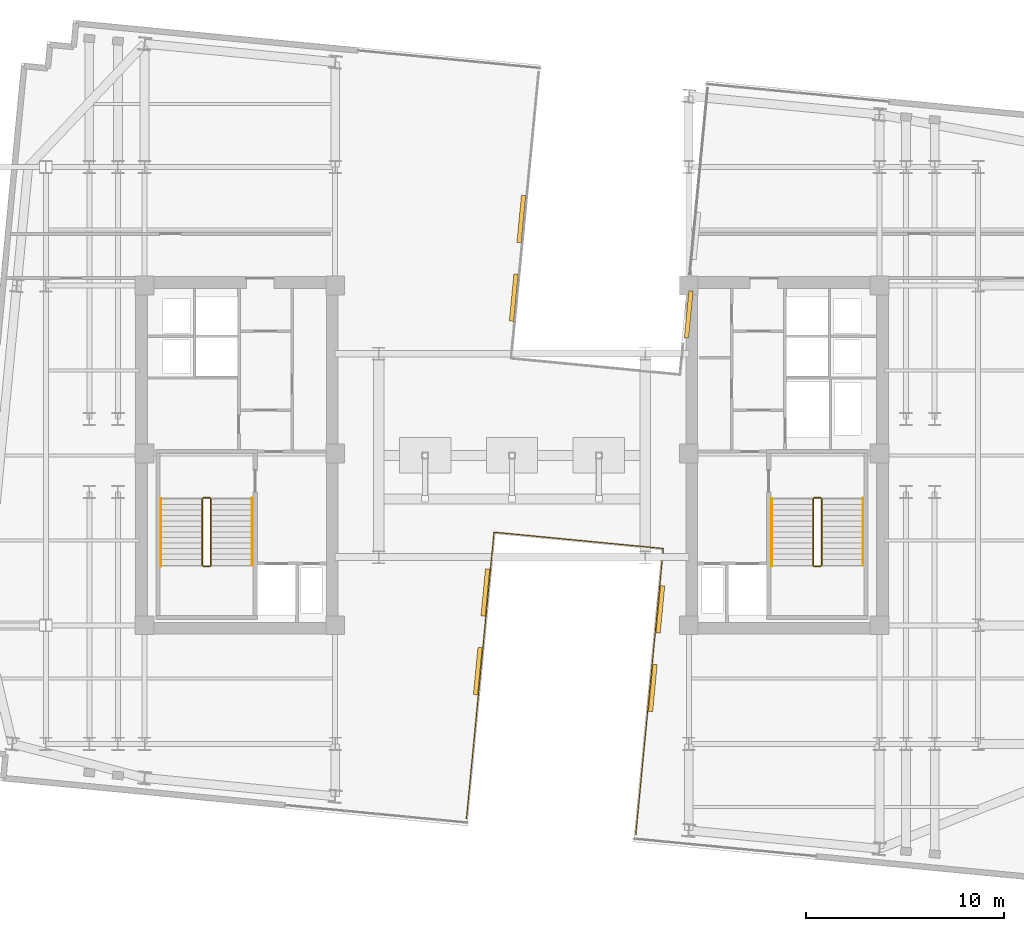
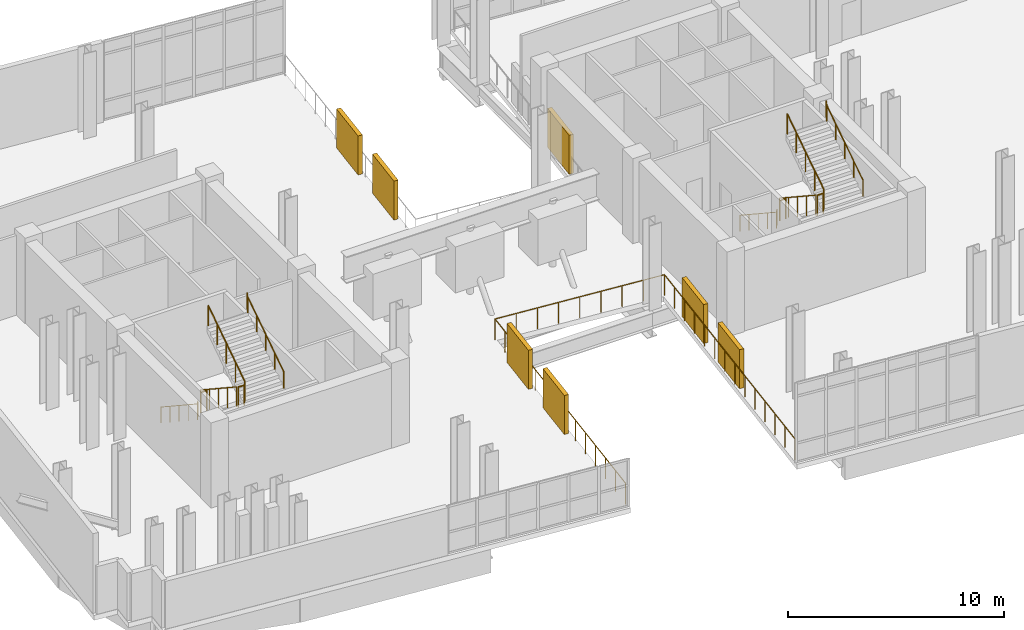
# One storey, part 15 of 16: 13 railings, 7 shading devices.
"""IFC4 building model written with IfcOpenShell, lengths in metres."""

from ifc_helpers import new_model, si_unit, direction, frame, origin, origin_2d, place, context, subcontext, project, spatial, rectangle, circle, extrude, material, type_object, element, save


model = new_model("IFC4")

# Units and contexts
model_context = context("Model", 3, precision=1e-05, world=origin(), true_north=direction((0.0, 1.0)))
body_context = subcontext(model_context, "Body", "Model", "MODEL_VIEW")
ifc_project = project(units=[si_unit("LENGTHUNIT", "METRE"), si_unit("AREAUNIT", "SQUARE_METRE"), si_unit("VOLUMEUNIT", "CUBIC_METRE"), si_unit("PLANEANGLEUNIT", "RADIAN"), si_unit("MASSUNIT", "GRAM", prefix="KILO")], contexts=[model_context])

# Site, building, storey
site_placement = place(None, origin())
site = spatial("IfcSite", under=ifc_project, at=site_placement, CompositionType="ELEMENT")
building_placement = place(site_placement, origin())
building = spatial("IfcBuilding", under=site, at=building_placement, Name="Velakula Bourse", CompositionType="ELEMENT")
storey_placement = place(building_placement, frame((0.0, 0.0, 199.5)))
storey = spatial("IfcBuildingStorey", under=building, at=storey_placement, Name="L54", CompositionType="ELEMENT", Elevation=199.5)

# Railings
ifc_material_1 = material(Name="Brushed grade 316 stainless steel", Category="steel")
railing_type_1 = type_object("IfcRailingType", Name="RLG-STAIR-GUARD-1150", PredefinedType="BALUSTRADE", material=ifc_material_1)
railing_1_placement = place(storey_placement, frame((-15.672119140625, -2.199951171875, 0.1845703125)))
element("IfcRailing", 1, at=railing_1_placement, inside=storey, type_object=railing_type_1, Name="L54 ST-W1 stair guard 1", PredefinedType="BALUSTRADE", context=body_context, shape_type="SweptSolid", body=[
    extrude(circle(Radius=0.02490234375, at=origin_2d()), frame((0.0, 0.0, 1.125), z_axis=(0.0, -0.834876476806, 0.550437342915), x_axis=(1.0, 0.0, 0.0)), (0.0, 0.0, 1.0), 4.024658203125),
    extrude(circle(Radius=0.02099609375, at=origin_2d()), origin(), (0.0, 0.0, 1.0), 1.099853515625),
    extrude(circle(Radius=0.02099609375, at=origin_2d()), frame((0.0, -0.840087890625, 0.5537109375)), (0.0, 0.0, 1.0), 1.099853515625),
    extrude(circle(Radius=0.02099609375, at=origin_2d()), frame((0.0, -1.68017578125, 1.107666015625)), (0.0, 0.0, 1.0), 1.099853515625),
    extrude(circle(Radius=0.02099609375, at=origin_2d()), frame((0.0, -2.52001953125, 1.66162109375)), (0.0, 0.0, 1.0), 1.099853515625),
    extrude(circle(Radius=0.02099609375, at=origin_2d()), frame((0.0, -3.360107421875, 2.21533203125)), (0.0, 0.0, 1.0), 1.099853515625),
])
railing_2_placement = place(storey_placement, frame((-15.6220703125, -5.610107421875, 2.39990234375)))
element("IfcRailing", 2, at=railing_2_placement, inside=storey, type_object=railing_type_1, Name="L54 ST-W1 stair guard 2", PredefinedType="BALUSTRADE", context=body_context, shape_type="SweptSolid", body=[
    extrude(circle(Radius=0.02490234375, at=origin_2d()), frame((0.0, 0.0, 1.125), z_axis=(1.0, 0.0, 0.0), x_axis=(0.0, 1.0, 0.0)), (0.0, 0.0, 1.0), 0.323974609375),
    extrude(circle(Radius=0.02099609375, at=origin_2d()), origin(), (0.0, 0.0, 1.0), 1.099853515625),
    extrude(circle(Radius=0.02099609375, at=origin_2d()), frame((0.323974609375, 0.0, 0.0)), (0.0, 0.0, 1.0), 1.099853515625),
])
railing_3_placement = place(storey_placement, frame((-15.248046875, -5.56005859375, 2.584716796875)))
element("IfcRailing", 3, at=railing_3_placement, inside=storey, type_object=railing_type_1, Name="L54 ST-W1 stair guard 3", PredefinedType="BALUSTRADE", context=body_context, shape_type="SweptSolid", body=[
    extrude(circle(Radius=0.02490234375, at=origin_2d()), frame((0.0, 0.0, 1.125), z_axis=(0.0, 0.834876476806, 0.550437342915), x_axis=(-1.0, 0.0, 0.0)), (0.0, 0.0, 1.0), 4.024658203125),
    extrude(circle(Radius=0.02099609375, at=origin_2d()), origin(), (0.0, 0.0, 1.0), 1.099853515625),
    extrude(circle(Radius=0.02099609375, at=origin_2d()), frame((0.0, 0.840087890625, 0.5537109375)), (0.0, 0.0, 1.0), 1.099853515625),
    extrude(circle(Radius=0.02099609375, at=origin_2d()), frame((0.0, 1.68017578125, 1.107666015625)), (0.0, 0.0, 1.0), 1.099853515625),
    extrude(circle(Radius=0.02099609375, at=origin_2d()), frame((0.0, 2.52001953125, 1.66162109375)), (0.0, 0.0, 1.0), 1.099853515625),
    extrude(circle(Radius=0.02099609375, at=origin_2d()), frame((0.0, 3.360107421875, 2.21533203125)), (0.0, 0.0, 1.0), 1.099853515625),
])
railing_4_placement = place(storey_placement, frame((-15.6220703125, -2.14990234375, 0.0)))
element("IfcRailing", 4, at=railing_4_placement, inside=storey, type_object=railing_type_1, Name="L54 ST-W1 stair guard 4", PredefinedType="BALUSTRADE", context=body_context, shape_type="SweptSolid", body=[
    extrude(circle(Radius=0.02490234375, at=origin_2d()), frame((0.0, 0.0, 1.125), z_axis=(1.0, 0.0, 0.0), x_axis=(0.0, 1.0, 0.0)), (0.0, 0.0, 1.0), 0.323974609375),
    extrude(circle(Radius=0.02099609375, at=origin_2d()), origin(), (0.0, 0.0, 1.0), 1.099853515625),
    extrude(circle(Radius=0.02099609375, at=origin_2d()), frame((0.323974609375, 0.0, 0.0)), (0.0, 0.0, 1.0), 1.099853515625),
])
railing_5_placement = place(storey_placement, frame((15.248046875, -2.199951171875, 0.1845703125)))
element("IfcRailing", 5, at=railing_5_placement, inside=storey, type_object=railing_type_1, Name="L54 ST-E1 stair guard 1", PredefinedType="BALUSTRADE", context=body_context, shape_type="SweptSolid", body=[
    extrude(circle(Radius=0.02490234375, at=origin_2d()), frame((0.0, 0.0, 1.125), z_axis=(0.0, -0.834876476806, 0.550437342915), x_axis=(1.0, 0.0, 0.0)), (0.0, 0.0, 1.0), 4.024658203125),
    extrude(circle(Radius=0.02099609375, at=origin_2d()), origin(), (0.0, 0.0, 1.0), 1.099853515625),
    extrude(circle(Radius=0.02099609375, at=origin_2d()), frame((0.0, -0.840087890625, 0.5537109375)), (0.0, 0.0, 1.0), 1.099853515625),
    extrude(circle(Radius=0.02099609375, at=origin_2d()), frame((0.0, -1.68017578125, 1.107666015625)), (0.0, 0.0, 1.0), 1.099853515625),
    extrude(circle(Radius=0.02099609375, at=origin_2d()), frame((0.0, -2.52001953125, 1.66162109375)), (0.0, 0.0, 1.0), 1.099853515625),
    extrude(circle(Radius=0.02099609375, at=origin_2d()), frame((0.0, -3.360107421875, 2.21533203125)), (0.0, 0.0, 1.0), 1.099853515625),
])
railing_6_placement = place(storey_placement, frame((15.298095703125, -5.610107421875, 2.39990234375)))
element("IfcRailing", 6, at=railing_6_placement, inside=storey, type_object=railing_type_1, Name="L54 ST-E1 stair guard 2", PredefinedType="BALUSTRADE", context=body_context, shape_type="SweptSolid", body=[
    extrude(circle(Radius=0.02490234375, at=origin_2d()), frame((0.0, 0.0, 1.125), z_axis=(1.0, 0.0, 0.0), x_axis=(0.0, 1.0, 0.0)), (0.0, 0.0, 1.0), 0.323974609375),
    extrude(circle(Radius=0.02099609375, at=origin_2d()), origin(), (0.0, 0.0, 1.0), 1.099853515625),
    extrude(circle(Radius=0.02099609375, at=origin_2d()), frame((0.323974609375, 0.0, 0.0)), (0.0, 0.0, 1.0), 1.099853515625),
])
railing_7_placement = place(storey_placement, frame((15.672119140625, -5.56005859375, 2.584716796875)))
element("IfcRailing", 7, at=railing_7_placement, inside=storey, type_object=railing_type_1, Name="L54 ST-E1 stair guard 3", PredefinedType="BALUSTRADE", context=body_context, shape_type="SweptSolid", body=[
    extrude(circle(Radius=0.02490234375, at=origin_2d()), frame((0.0, 0.0, 1.125), z_axis=(0.0, 0.834876476806, 0.550437342915), x_axis=(-1.0, 0.0, 0.0)), (0.0, 0.0, 1.0), 4.024658203125),
    extrude(circle(Radius=0.02099609375, at=origin_2d()), origin(), (0.0, 0.0, 1.0), 1.099853515625),
    extrude(circle(Radius=0.02099609375, at=origin_2d()), frame((0.0, 0.840087890625, 0.5537109375)), (0.0, 0.0, 1.0), 1.099853515625),
    extrude(circle(Radius=0.02099609375, at=origin_2d()), frame((0.0, 1.68017578125, 1.107666015625)), (0.0, 0.0, 1.0), 1.099853515625),
    extrude(circle(Radius=0.02099609375, at=origin_2d()), frame((0.0, 2.52001953125, 1.66162109375)), (0.0, 0.0, 1.0), 1.099853515625),
    extrude(circle(Radius=0.02099609375, at=origin_2d()), frame((0.0, 3.360107421875, 2.21533203125)), (0.0, 0.0, 1.0), 1.099853515625),
])
railing_8_placement = place(storey_placement, frame((15.298095703125, -2.14990234375, 0.0)))
element("IfcRailing", 8, at=railing_8_placement, inside=storey, type_object=railing_type_1, Name="L54 ST-E1 stair guard 4", PredefinedType="BALUSTRADE", context=body_context, shape_type="SweptSolid", body=[
    extrude(circle(Radius=0.02490234375, at=origin_2d()), frame((0.0, 0.0, 1.125), z_axis=(1.0, 0.0, 0.0), x_axis=(0.0, 1.0, 0.0)), (0.0, 0.0, 1.0), 0.323974609375),
    extrude(circle(Radius=0.02099609375, at=origin_2d()), origin(), (0.0, 0.0, 1.0), 1.099853515625),
    extrude(circle(Radius=0.02099609375, at=origin_2d()), frame((0.323974609375, 0.0, 0.0)), (0.0, 0.0, 1.0), 1.099853515625),
])
railing_type_2 = type_object("IfcRailingType", Name="RLG-STAIR-HAND-920", PredefinedType="HANDRAIL", material=ifc_material_1)
railing_9_placement = place(storey_placement, frame((-17.77001953125, -2.199951171875, 0.1845703125)))
element("IfcRailing", 9, at=railing_9_placement, inside=storey, type_object=railing_type_2, Name="L54 ST-W1 stair handrail 1", PredefinedType="HANDRAIL", context=body_context, shape_type="SweptSolid", body=[
    extrude(circle(Radius=0.02099609375, at=origin_2d()), frame((0.0, 0.0, 0.89892578125), z_axis=(0.0, -0.834876476806, 0.550437342915), x_axis=(1.0, 0.0, 0.0)), (0.0, 0.0, 1.0), 4.024658203125),
    extrude(circle(Radius=0.02099609375, at=origin_2d()), frame((0.0, -3.360107421875, 3.1142578125), z_axis=(0.0, -0.211732794235, 0.977327592901), x_axis=(1.0, 0.0, 0.0)), (0.0, 0.0, 1.0), 0.189208984375),
    extrude(circle(Radius=0.02099609375, at=origin_2d()), frame((0.0, -3.400146484375, 3.299072265625), z_axis=(0.0, -1.0, 0.0), x_axis=(1.0, 0.0, 0.0)), (0.0, 0.0, 1.0), 0.0048828125),
    extrude(circle(Radius=0.02099609375, at=origin_2d()), origin(), (0.0, 0.0, 1.0), 0.8779296875),
    extrude(circle(Radius=0.02099609375, at=origin_2d()), frame((0.0, -0.840087890625, 0.5537109375)), (0.0, 0.0, 1.0), 0.8779296875),
    extrude(circle(Radius=0.02099609375, at=origin_2d()), frame((0.0, -1.68017578125, 1.107666015625)), (0.0, 0.0, 1.0), 0.8779296875),
    extrude(circle(Radius=0.02099609375, at=origin_2d()), frame((0.0, -2.52001953125, 1.66162109375)), (0.0, 0.0, 1.0), 0.8779296875),
    extrude(circle(Radius=0.02099609375, at=origin_2d()), frame((0.0, -3.360107421875, 2.21533203125)), (0.0, 0.0, 1.0), 0.8779296875),
    extrude(circle(Radius=0.02099609375, at=origin_2d()), frame((0.0, -3.400146484375, 2.400146484375)), (0.0, 0.0, 1.0), 0.8779296875),
    extrude(circle(Radius=0.02099609375, at=origin_2d()), frame((0.0, -3.405029296875, 2.400146484375)), (0.0, 0.0, 1.0), 0.8779296875),
])
railing_10_placement = place(storey_placement, frame((-13.14990234375, -5.56005859375, 2.584716796875)))
element("IfcRailing", 10, at=railing_10_placement, inside=storey, type_object=railing_type_2, Name="L54 ST-W1 stair handrail 2", PredefinedType="HANDRAIL", context=body_context, shape_type="SweptSolid", body=[
    extrude(circle(Radius=0.02099609375, at=origin_2d()), frame((0.0, 0.0, 0.89892578125), z_axis=(0.0, 0.834876476806, 0.550437342915), x_axis=(-1.0, 0.0, 0.0)), (0.0, 0.0, 1.0), 4.024658203125),
    extrude(circle(Radius=0.02099609375, at=origin_2d()), frame((0.0, 3.360107421875, 3.1142578125), z_axis=(0.0, 0.212000284517, 0.977269604237), x_axis=(-1.0, 0.0, 0.0)), (0.0, 0.0, 1.0), 0.18896484375),
    extrude(circle(Radius=0.02099609375, at=origin_2d()), frame((0.0, 3.400146484375, 3.298828125), z_axis=(0.0, 1.0, 0.0), x_axis=(-1.0, 0.0, 0.0)), (0.0, 0.0, 1.0), 0.0048828125),
    extrude(circle(Radius=0.02099609375, at=origin_2d()), origin(), (0.0, 0.0, 1.0), 0.8779296875),
    extrude(circle(Radius=0.02099609375, at=origin_2d()), frame((0.0, 0.840087890625, 0.5537109375)), (0.0, 0.0, 1.0), 0.8779296875),
    extrude(circle(Radius=0.02099609375, at=origin_2d()), frame((0.0, 1.68017578125, 1.107666015625)), (0.0, 0.0, 1.0), 0.8779296875),
    extrude(circle(Radius=0.02099609375, at=origin_2d()), frame((0.0, 2.52001953125, 1.66162109375)), (0.0, 0.0, 1.0), 0.8779296875),
    extrude(circle(Radius=0.02099609375, at=origin_2d()), frame((0.0, 3.360107421875, 2.21533203125)), (0.0, 0.0, 1.0), 0.8779296875),
    extrude(circle(Radius=0.02099609375, at=origin_2d()), frame((0.0, 3.400146484375, 2.39990234375)), (0.0, 0.0, 1.0), 0.8779296875),
    extrude(circle(Radius=0.02099609375, at=origin_2d()), frame((0.0, 3.405029296875, 2.39990234375)), (0.0, 0.0, 1.0), 0.8779296875),
])
railing_11_placement = place(storey_placement, frame((13.14990234375, -2.199951171875, 0.1845703125)))
element("IfcRailing", 11, at=railing_11_placement, inside=storey, type_object=railing_type_2, Name="L54 ST-E1 stair handrail 1", PredefinedType="HANDRAIL", context=body_context, shape_type="SweptSolid", body=[
    extrude(circle(Radius=0.02099609375, at=origin_2d()), frame((0.0, 0.0, 0.89892578125), z_axis=(0.0, -0.834876476806, 0.550437342915), x_axis=(1.0, 0.0, 0.0)), (0.0, 0.0, 1.0), 4.024658203125),
    extrude(circle(Radius=0.02099609375, at=origin_2d()), frame((0.0, -3.360107421875, 3.1142578125), z_axis=(0.0, -0.211732794235, 0.977327592901), x_axis=(1.0, 0.0, 0.0)), (0.0, 0.0, 1.0), 0.189208984375),
    extrude(circle(Radius=0.02099609375, at=origin_2d()), frame((0.0, -3.400146484375, 3.299072265625), z_axis=(0.0, -1.0, 0.0), x_axis=(1.0, 0.0, 0.0)), (0.0, 0.0, 1.0), 0.0048828125),
    extrude(circle(Radius=0.02099609375, at=origin_2d()), origin(), (0.0, 0.0, 1.0), 0.8779296875),
    extrude(circle(Radius=0.02099609375, at=origin_2d()), frame((0.0, -0.840087890625, 0.5537109375)), (0.0, 0.0, 1.0), 0.8779296875),
    extrude(circle(Radius=0.02099609375, at=origin_2d()), frame((0.0, -1.68017578125, 1.107666015625)), (0.0, 0.0, 1.0), 0.8779296875),
    extrude(circle(Radius=0.02099609375, at=origin_2d()), frame((0.0, -2.52001953125, 1.66162109375)), (0.0, 0.0, 1.0), 0.8779296875),
    extrude(circle(Radius=0.02099609375, at=origin_2d()), frame((0.0, -3.360107421875, 2.21533203125)), (0.0, 0.0, 1.0), 0.8779296875),
    extrude(circle(Radius=0.02099609375, at=origin_2d()), frame((0.0, -3.400146484375, 2.400146484375)), (0.0, 0.0, 1.0), 0.8779296875),
    extrude(circle(Radius=0.02099609375, at=origin_2d()), frame((0.0, -3.405029296875, 2.400146484375)), (0.0, 0.0, 1.0), 0.8779296875),
])
railing_12_placement = place(storey_placement, frame((17.77001953125, -5.56005859375, 2.584716796875)))
element("IfcRailing", 12, at=railing_12_placement, inside=storey, type_object=railing_type_2, Name="L54 ST-E1 stair handrail 2", PredefinedType="HANDRAIL", context=body_context, shape_type="SweptSolid", body=[
    extrude(circle(Radius=0.02099609375, at=origin_2d()), frame((0.0, 0.0, 0.89892578125), z_axis=(0.0, 0.834876476806, 0.550437342915), x_axis=(-1.0, 0.0, 0.0)), (0.0, 0.0, 1.0), 4.024658203125),
    extrude(circle(Radius=0.02099609375, at=origin_2d()), frame((0.0, 3.360107421875, 3.1142578125), z_axis=(0.0, 0.212000284517, 0.977269604237), x_axis=(-1.0, 0.0, 0.0)), (0.0, 0.0, 1.0), 0.18896484375),
    extrude(circle(Radius=0.02099609375, at=origin_2d()), frame((0.0, 3.400146484375, 3.298828125), z_axis=(0.0, 1.0, 0.0), x_axis=(-1.0, 0.0, 0.0)), (0.0, 0.0, 1.0), 0.0048828125),
    extrude(circle(Radius=0.02099609375, at=origin_2d()), origin(), (0.0, 0.0, 1.0), 0.8779296875),
    extrude(circle(Radius=0.02099609375, at=origin_2d()), frame((0.0, 0.840087890625, 0.5537109375)), (0.0, 0.0, 1.0), 0.8779296875),
    extrude(circle(Radius=0.02099609375, at=origin_2d()), frame((0.0, 1.68017578125, 1.107666015625)), (0.0, 0.0, 1.0), 0.8779296875),
    extrude(circle(Radius=0.02099609375, at=origin_2d()), frame((0.0, 2.52001953125, 1.66162109375)), (0.0, 0.0, 1.0), 0.8779296875),
    extrude(circle(Radius=0.02099609375, at=origin_2d()), frame((0.0, 3.360107421875, 2.21533203125)), (0.0, 0.0, 1.0), 0.8779296875),
    extrude(circle(Radius=0.02099609375, at=origin_2d()), frame((0.0, 3.400146484375, 2.39990234375)), (0.0, 0.0, 1.0), 0.8779296875),
    extrude(circle(Radius=0.02099609375, at=origin_2d()), frame((0.0, 3.405029296875, 2.39990234375)), (0.0, 0.0, 1.0), 0.8779296875),
])
ifc_material_2 = material(Name="Anodised bronze architectural aluminium", Category="aluminium")
railing_type_3 = type_object("IfcRailingType", Name="RLG-VENT-1200", PredefinedType="BALUSTRADE", material=ifc_material_2)
railing_13_placement = place(storey_placement, frame((6.26611328125, -19.205078125, 0.0)))
element("IfcRailing", 13, at=railing_13_placement, inside=storey, type_object=railing_type_3, Name="L54 Venturi Wind Slot Safety Balustrade 1.3", PredefinedType="BALUSTRADE", context=body_context, shape_type="SweptSolid", body=[
    extrude(circle(Radius=0.02392578125, at=origin_2d()), frame((0.0, 0.0, 1.17578125), z_axis=(0.095845640075, 0.995396209194, 0.0), x_axis=(-0.995396209194, 0.095845640075, 0.0)), (0.0, 0.0, 1.0), 14.56005859375),
    extrude(circle(Radius=0.02392578125, at=origin_2d()), frame((1.3955078125, 14.492919921875, 1.17578125), z_axis=(-0.995396812523, 0.095839374059, 0.0), x_axis=(-0.095839374059, -0.995396812523, 0.0)), (0.0, 0.0, 1.0), 8.610107421875),
    extrude(circle(Radius=0.02392578125, at=origin_2d()), frame((-7.175048828125, 15.318115234375, 1.17578125), z_axis=(-0.095845640075, -0.995396209194, 0.0), x_axis=(0.995396209194, -0.095845640075, 0.0)), (0.0, 0.0, 1.0), 14.56005859375),
    extrude(circle(Radius=0.02099609375, at=origin_2d()), origin(), (0.0, 0.0, 1.0), 1.15185546875),
    extrude(circle(Radius=0.02099609375, at=origin_2d()), frame((0.107421875, 1.11474609375, 0.0)), (0.0, 0.0, 1.0), 1.15185546875),
    extrude(circle(Radius=0.02099609375, at=origin_2d()), frame((0.214599609375, 2.229736328125, 0.0)), (0.0, 0.0, 1.0), 1.15185546875),
    extrude(circle(Radius=0.02099609375, at=origin_2d()), frame((0.322021484375, 3.344482421875, 0.0)), (0.0, 0.0, 1.0), 1.15185546875),
    extrude(circle(Radius=0.02099609375, at=origin_2d()), frame((0.429443359375, 4.45947265625, 0.0)), (0.0, 0.0, 1.0), 1.15185546875),
    extrude(circle(Radius=0.02099609375, at=origin_2d()), frame((0.53662109375, 5.57421875, 0.0)), (0.0, 0.0, 1.0), 1.15185546875),
    extrude(circle(Radius=0.02099609375, at=origin_2d()), frame((0.64404296875, 6.68896484375, 0.0)), (0.0, 0.0, 1.0), 1.15185546875),
    extrude(circle(Radius=0.02099609375, at=origin_2d()), frame((0.75146484375, 7.803955078125, 0.0)), (0.0, 0.0, 1.0), 1.15185546875),
    extrude(circle(Radius=0.02099609375, at=origin_2d()), frame((0.85888671875, 8.918701171875, 0.0)), (0.0, 0.0, 1.0), 1.15185546875),
    extrude(circle(Radius=0.02099609375, at=origin_2d()), frame((0.966064453125, 10.033447265625, 0.0)), (0.0, 0.0, 1.0), 1.15185546875),
    extrude(circle(Radius=0.02099609375, at=origin_2d()), frame((1.073486328125, 11.1484375, 0.0)), (0.0, 0.0, 1.0), 1.15185546875),
    extrude(circle(Radius=0.02099609375, at=origin_2d()), frame((1.180908203125, 12.26318359375, 0.0)), (0.0, 0.0, 1.0), 1.15185546875),
    extrude(circle(Radius=0.02099609375, at=origin_2d()), frame((1.2880859375, 13.378173828125, 0.0)), (0.0, 0.0, 1.0), 1.15185546875),
    extrude(circle(Radius=0.02099609375, at=origin_2d()), frame((1.3955078125, 14.492919921875, 0.0)), (0.0, 0.0, 1.0), 1.15185546875),
    extrude(circle(Radius=0.02099609375, at=origin_2d()), frame((0.32421875, 14.59619140625, 0.0)), (0.0, 0.0, 1.0), 1.15185546875),
    extrude(circle(Radius=0.02099609375, at=origin_2d()), frame((-0.7470703125, 14.69921875, 0.0)), (0.0, 0.0, 1.0), 1.15185546875),
    extrude(circle(Radius=0.02099609375, at=origin_2d()), frame((-1.818359375, 14.80224609375, 0.0)), (0.0, 0.0, 1.0), 1.15185546875),
    extrude(circle(Radius=0.02099609375, at=origin_2d()), frame((-2.8896484375, 14.905517578125, 0.0)), (0.0, 0.0, 1.0), 1.15185546875),
    extrude(circle(Radius=0.02099609375, at=origin_2d()), frame((-3.961181640625, 15.0087890625, 0.0)), (0.0, 0.0, 1.0), 1.15185546875),
    extrude(circle(Radius=0.02099609375, at=origin_2d()), frame((-5.032470703125, 15.11181640625, 0.0)), (0.0, 0.0, 1.0), 1.15185546875),
    extrude(circle(Radius=0.02099609375, at=origin_2d()), frame((-6.103759765625, 15.21484375, 0.0)), (0.0, 0.0, 1.0), 1.15185546875),
    extrude(circle(Radius=0.02099609375, at=origin_2d()), frame((-7.175048828125, 15.318115234375, 0.0)), (0.0, 0.0, 1.0), 1.15185546875),
    extrude(circle(Radius=0.02099609375, at=origin_2d()), frame((-7.282470703125, 14.203369140625, 0.0)), (0.0, 0.0, 1.0), 1.15185546875),
    extrude(circle(Radius=0.02099609375, at=origin_2d()), frame((-7.3896484375, 13.08837890625, 0.0)), (0.0, 0.0, 1.0), 1.15185546875),
    extrude(circle(Radius=0.02099609375, at=origin_2d()), frame((-7.4970703125, 11.9736328125, 0.0)), (0.0, 0.0, 1.0), 1.15185546875),
    extrude(circle(Radius=0.02099609375, at=origin_2d()), frame((-7.6044921875, 10.858642578125, 0.0)), (0.0, 0.0, 1.0), 1.15185546875),
    extrude(circle(Radius=0.02099609375, at=origin_2d()), frame((-7.711669921875, 9.743896484375, 0.0)), (0.0, 0.0, 1.0), 1.15185546875),
    extrude(circle(Radius=0.02099609375, at=origin_2d()), frame((-7.819091796875, 8.629150390625, 0.0)), (0.0, 0.0, 1.0), 1.15185546875),
    extrude(circle(Radius=0.02099609375, at=origin_2d()), frame((-7.926513671875, 7.51416015625, 0.0)), (0.0, 0.0, 1.0), 1.15185546875),
    extrude(circle(Radius=0.02099609375, at=origin_2d()), frame((-8.033935546875, 6.3994140625, 0.0)), (0.0, 0.0, 1.0), 1.15185546875),
    extrude(circle(Radius=0.02099609375, at=origin_2d()), frame((-8.14111328125, 5.28466796875, 0.0)), (0.0, 0.0, 1.0), 1.15185546875),
    extrude(circle(Radius=0.02099609375, at=origin_2d()), frame((-8.24853515625, 4.169677734375, 0.0)), (0.0, 0.0, 1.0), 1.15185546875),
    extrude(circle(Radius=0.02099609375, at=origin_2d()), frame((-8.35595703125, 3.054931640625, 0.0)), (0.0, 0.0, 1.0), 1.15185546875),
    extrude(circle(Radius=0.02099609375, at=origin_2d()), frame((-8.463134765625, 1.93994140625, 0.0)), (0.0, 0.0, 1.0), 1.15185546875),
    extrude(circle(Radius=0.02099609375, at=origin_2d()), frame((-8.570556640625, 0.8251953125, 0.0)), (0.0, 0.0, 1.0), 1.15185546875),
])

# Shading devices
shading_device_type = type_object("IfcShadingDeviceType", Name="SHD-JLS-2400", PredefinedType="JALOUSIE", material=ifc_material_2)
for number, where, z_axis, x_axis, name in (
    (14, (-1.731689453125, -10.920654296875, 0.0), (0.0, 0.0, 1.0), (0.995396198367, -0.09584575252, 0.0), "L54 Venturi Acoustic Louvre Shroud W1"),
    (15, (-1.348388671875, -6.93896484375, 0.0), (0.0, 0.0, 1.0), (0.995396198367, -0.09584575252, 0.0), "L54 Venturi Acoustic Louvre Shroud W2"),
    (16, (0.08935546875, 7.991943359375, 0.0), (0.0, 0.0, 1.0), (0.995396198367, -0.09584575252, 0.0), "L54 Venturi Acoustic Louvre Shroud W3"),
    (17, (0.47265625, 11.9736328125, 0.0), (0.0, 0.0, 1.0), (0.995396198367, -0.09584575252, 0.0), "L54 Venturi Acoustic Louvre Shroud W4"),
    (18, (7.127197265625, -11.773681640625, 0.0), (0.0, 0.0, 1.0), (0.995396198367, -0.09584575252, 0.0), "L54 Venturi Acoustic Louvre Shroud E1"),
    (19, (7.5107421875, -7.7919921875, 0.0), (0.0, 0.0, 1.0), (0.995396198367, -0.09584575252, 0.0), "L54 Venturi Acoustic Louvre Shroud E2"),
    (20, (8.9482421875, 7.138916015625, 0.0), (0.0, 0.0, 1.0), (0.995396198367, -0.09584575252, 0.0), "L54 Venturi Acoustic Louvre Shroud E3"),
):
    element("IfcShadingDevice", number, at=place(storey_placement, frame(where, z_axis=z_axis, x_axis=x_axis)), inside=storey, type_object=shading_device_type, Name=name, PredefinedType="JALOUSIE", context=body_context, shape_type="SweptSolid", body=[
        extrude(rectangle(XDim=0.219970703125, YDim=2.39990234375, at=origin_2d()), origin(), (0.0, 0.0, 1.0), 2.199951171875),
    ])

save(model, "model.ifc")
